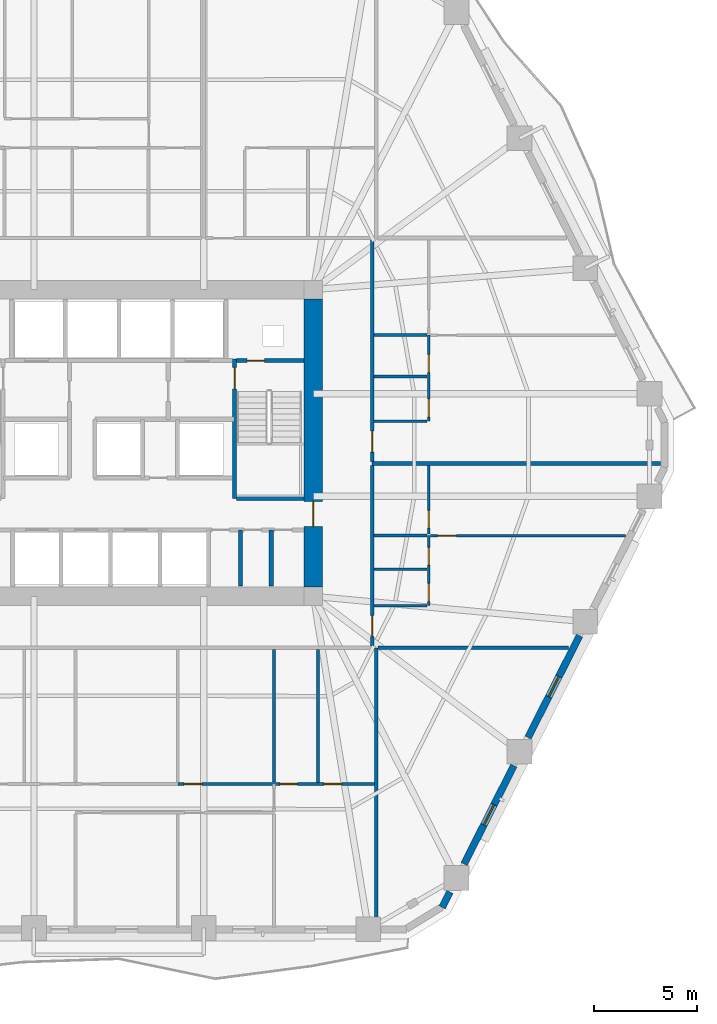
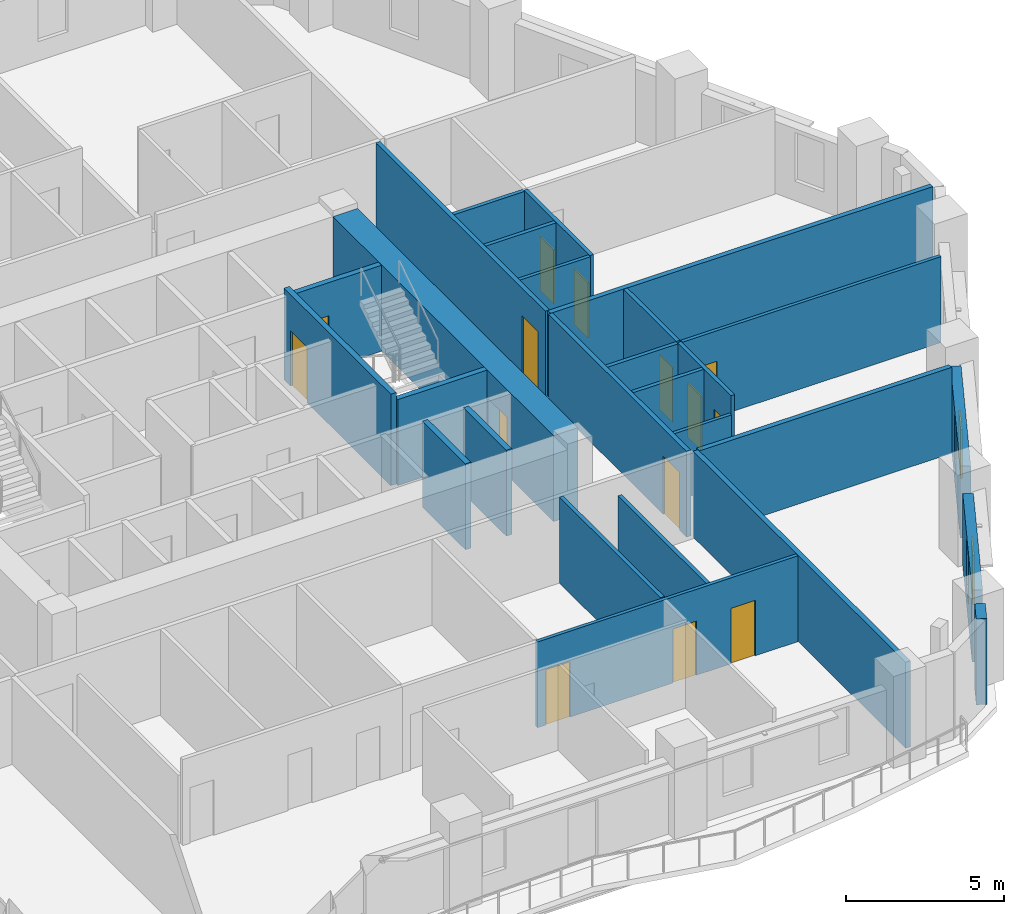
# One storey, part 6 of 14: 27 walls, 14 doors, 2 windows, 16 openings.
"""IFC4 building model written with IfcOpenShell, lengths in metres."""

import ifcopenshell
import ifcopenshell.guid

model = None  # the IFC model being written
_history = None  # IfcOwnerHistory: only IFC2X3 demands one
_inside = {}  # id of a spatial element -> (the spatial element, [elements in it])
_under = {}  # id of a project, library or spatial element -> (it, [spatial elements below it])
_declared = {}  # id of a project -> (the project, [libraries it declares])
_typed = {}  # id of a type object -> (the type object, [elements of that type])
_made_of = {}  # id of a material, layer set ... -> (it, [elements and type objects made of it])


def new_model(schema):
    """Start an empty IFC model of exactly this schema.

    Asked for "IFC4X3", IfcOpenShell would pick the latest addendum, in which some entities
    have other attributes; the version numbers below select the first issue.
    IFC2X3 requires an IfcOwnerHistory on every rooted entity: one is made here for all.
    """
    global model, _history
    if schema == "IFC4X3":
        model = ifcopenshell.file(schema_version=(4, 3, 0, 0))
    else:
        model = ifcopenshell.file(schema=schema)
    _inside.clear()
    _under.clear()
    _declared.clear()
    _typed.clear()
    _made_of.clear()
    _history = None
    if model.schema == "IFC2X3":
        org = make("IfcOrganization", Name="unknown")
        user = make(
            "IfcPersonAndOrganization",
            ThePerson=make("IfcPerson", FamilyName="unknown"),
            TheOrganization=org,
        )
        app = make(
            "IfcApplication",
            ApplicationDeveloper=org,
            Version="unknown",
            ApplicationFullName="unknown",
            ApplicationIdentifier="unknown",
        )
        _history = make(
            "IfcOwnerHistory",
            OwningUser=user,
            OwningApplication=app,
            ChangeAction="ADDED",
            CreationDate=0,
        )
    return model


def make(cls, **values):
    """One entity of the class cls with the attributes given. An attribute that is None is left unset."""
    return model.create_entity(
        cls, **{name: value for name, value in values.items() if value is not None}
    )


def rooted(cls, **values):
    """An entity with a GlobalId (a new one), such as an element, a storey or a relation."""
    return make(cls, GlobalId=ifcopenshell.guid.new(), OwnerHistory=_history, **values)


def si_unit(unit_type, name, prefix=None):
    """IfcSIUnit, for example si_unit("LENGTHUNIT", "METRE", prefix="MILLI")."""
    return make("IfcSIUnit", UnitType=unit_type, Prefix=prefix, Name=name)


def assignment(units):
    """IfcUnitAssignment: the units of a project."""
    return None if units is None else make("IfcUnitAssignment", Units=units)


def point(xyz):
    """IfcCartesianPoint."""
    return None if xyz is None else make("IfcCartesianPoint", Coordinates=xyz)


def direction(xyz):
    """IfcDirection."""
    return None if xyz is None else make("IfcDirection", DirectionRatios=xyz)


def frame(location, z_axis=None, x_axis=None):
    """IfcAxis2Placement3D, a coordinate frame: its origin and axes. An axis left out is left unset."""
    return make(
        "IfcAxis2Placement3D",
        Location=point(location),
        Axis=direction(z_axis),
        RefDirection=direction(x_axis),
    )


def frame_2d(location, x_axis=None):
    """IfcAxis2Placement2D, a coordinate frame in the plane: its origin and x axis."""
    return make(
        "IfcAxis2Placement2D", Location=point(location), RefDirection=direction(x_axis)
    )


def origin():
    """The frame at (0, 0, 0) with its axes left unset."""
    return frame((0.0, 0.0, 0.0))


def place(relative_to, where):
    """IfcLocalPlacement: puts the frame where relative to a parent placement (None: the world)."""
    return make(
        "IfcLocalPlacement", PlacementRelTo=relative_to, RelativePlacement=where
    )


def context(
    kind, dimensions, precision=None, world=None, true_north=None, identifier=None
):
    """IfcGeometricRepresentationContext, for example the 3D "Model" context."""
    return make(
        "IfcGeometricRepresentationContext",
        ContextIdentifier=identifier,
        ContextType=kind,
        CoordinateSpaceDimension=dimensions,
        Precision=precision,
        WorldCoordinateSystem=world,
        TrueNorth=true_north,
    )


def subcontext(parent, identifier, kind, view, scale=None):
    """IfcGeometricRepresentationSubContext, for example "Body" below "Model"."""
    return make(
        "IfcGeometricRepresentationSubContext",
        ContextIdentifier=identifier,
        ContextType=kind,
        ParentContext=parent,
        TargetScale=scale,
        TargetView=view,
    )


def project(units=None, contexts=None):
    """IfcProject with its units and contexts."""
    return rooted(
        "IfcProject",
        Name="project",
        RepresentationContexts=contexts,
        UnitsInContext=assignment(units),
    )


def spatial(cls, under=None, at=None, **own):
    """A site, building, storey or space (cls), placed at a placement, below another one or the project."""
    s = rooted(cls, ObjectPlacement=at, **own)
    if under is not None:
        _under.setdefault(under.id(), (under, []))[1].append(s)
    return s


def profile(cls, at=None, kind="AREA", **sizes):
    """A parametric profile (cls). Its sizes go by their IFC names, for example OverallWidth=200.0."""
    return make(cls, ProfileType=kind, Position=at, **sizes)


def rectangle(**sizes):
    """IfcRectangleProfileDef."""
    return profile("IfcRectangleProfileDef", **sizes)


def extrude(swept, where, along, depth):
    """IfcExtrudedAreaSolid: the profile swept, set in the frame where, extruded along a direction by depth."""
    return make(
        "IfcExtrudedAreaSolid",
        SweptArea=swept,
        Position=where,
        ExtrudedDirection=direction(along),
        Depth=depth,
    )


def shape(context_of_items, identifier, shape_type, items):
    """IfcShapeRepresentation: the items that make up one representation, for example the "Body"."""
    return make(
        "IfcShapeRepresentation",
        ContextOfItems=context_of_items,
        RepresentationIdentifier=identifier,
        RepresentationType=shape_type,
        Items=items,
    )


def material(Name=None, Category=None):
    """IfcMaterial."""
    return make("IfcMaterial", Name=Name, Category=Category)


def layer(
    of_material, thickness, ventilated=None, Name=None, Category=None, Priority=None
):
    """IfcMaterialLayer: one layer of a wall or slab, of a material (None: an air gap)."""
    return make(
        "IfcMaterialLayer",
        Material=of_material,
        LayerThickness=thickness,
        IsVentilated=ventilated,
        Name=Name,
        Category=Category,
        Priority=Priority,
    )


def layer_set(layers, Name=None):
    """IfcMaterialLayerSet."""
    return make("IfcMaterialLayerSet", MaterialLayers=layers, LayerSetName=Name)


def made_of(thing, what):
    """Note that an element or type object is made of a material, layer set ...; save() writes the relation."""
    if what is not None:
        _made_of.setdefault(what.id(), (what, []))[1].append(thing)
    return thing


def type_object(cls, material=None, **own):
    """A type object (cls), such as IfcWallType, which elements share."""
    return made_of(rooted(cls, **own), material)


def element(
    cls,
    number,
    at=None,
    inside=None,
    cuts=None,
    type_object=None,
    material=None,
    context=None,
    identifier="Body",
    shape_type=None,
    held_by="IfcProductDefinitionShape",
    body=None,
    shapes=None,
    **own,
):
    """One element of the class cls, such as IfcWall. Its Tag is "e" and its number.

    at: its placement. inside: the storey or other place that contains it. cuts: it is an
    opening in that element (IfcRelVoidsElement). A single representation is given by context,
    identifier, shape_type and body (its items); several are given by shapes. held_by: the class
    of the entity that holds the representations. save() writes the other relations.
    """
    e = rooted(cls, Tag="e%d" % number, ObjectPlacement=at, **own)
    if body is not None:
        shapes = [shape(context, identifier, shape_type, body)]
    if shapes is not None:
        e.Representation = make(held_by, Representations=shapes)
    if inside is not None:
        _inside.setdefault(inside.id(), (inside, []))[1].append(e)
    if cuts is not None:
        rooted(
            "IfcRelVoidsElement", RelatingBuildingElement=cuts, RelatedOpeningElement=e
        )
    if type_object is not None:
        _typed.setdefault(type_object.id(), (type_object, []))[1].append(e)
    return made_of(e, material)


def fill(opening, filler):
    """IfcRelFillsElement: the door or window that sits in an opening."""
    return rooted(
        "IfcRelFillsElement",
        RelatingOpeningElement=opening,
        RelatedBuildingElement=filler,
    )


def aggregate(whole, parts):
    """IfcRelAggregates: a whole, such as a stair, and the parts it consists of."""
    return rooted("IfcRelAggregates", RelatingObject=whole, RelatedObjects=parts)


def save(model, path):
    """Write the relations noted so far, then the file.

    IfcRelAggregates (storeys below a building ...), IfcRelContainedInSpatialStructure (elements
    in a storey), IfcRelDefinesByType, IfcRelAssociatesMaterial and IfcRelDeclares: one each for
    every whole, place, type object, material and project.
    """
    for whole, parts in _under.values():
        aggregate(whole, parts)
    for where, things in _inside.values():
        rooted(
            "IfcRelContainedInSpatialStructure",
            RelatedElements=things,
            RelatingStructure=where,
        )
    for kind, things in _typed.values():
        rooted("IfcRelDefinesByType", RelatedObjects=things, RelatingType=kind)
    for what, things in _made_of.values():
        rooted("IfcRelAssociatesMaterial", RelatedObjects=things, RelatingMaterial=what)
    for by, libraries in _declared.values():
        rooted("IfcRelDeclares", RelatingContext=by, RelatedDefinitions=libraries)
    model.write(path)


model = new_model("IFC4")

# Units and contexts
model_context = context("Model", 3, precision=1e-05, world=origin(), true_north=direction((0.0, 1.0)))
body_context = subcontext(model_context, "Body", "Model", "MODEL_VIEW")
ifc_project = project(units=[si_unit("LENGTHUNIT", "METRE"), si_unit("AREAUNIT", "SQUARE_METRE"), si_unit("VOLUMEUNIT", "CUBIC_METRE"), si_unit("PLANEANGLEUNIT", "RADIAN"), si_unit("MASSUNIT", "GRAM", prefix="KILO")], contexts=[model_context])

# Site, building, storey
site_placement = place(None, origin())
site = spatial("IfcSite", under=ifc_project, at=site_placement, CompositionType="ELEMENT")
building_placement = place(site_placement, origin())
building = spatial("IfcBuilding", under=site, at=building_placement, Name="Cinnabar Lancet Tower", CompositionType="ELEMENT")
storey_placement = place(building_placement, frame((0.0, 0.0, 67.5)))
storey = spatial("IfcBuildingStorey", under=building, at=storey_placement, Name="L17", CompositionType="ELEMENT", Elevation=67.5)

# Wall, opening, door
ifc_material_1 = material(Name="Acoustic twin-stud gypsum partition", Category="gypsum")
ifc_layer_1 = layer(ifc_material_1, 0.159912109375)
ifc_layer_set_1 = layer_set([ifc_layer_1], Name="Acoustic twin-stud gypsum partition")
wall_type_1 = type_object("IfcWallType", Name="ARC-WL-CORR-160", PredefinedType="PARTITIONING", material=ifc_layer_set_1)
wall_1_placement = place(storey_placement, frame((44.699951171875, 16.044921875, 0.0), z_axis=(0.0, 0.0, 1.0), x_axis=(0.0, 1.0, 0.0)))
wall_1 = element("IfcWall", 1, at=wall_1_placement, inside=storey, type_object=wall_type_1, Name="UW-L17-E01-COR", PredefinedType="PARTITIONING", context=body_context, shape_type="SweptSolid", body=[
    extrude(rectangle(XDim=8.76513671875, YDim=0.159912109375, at=frame_2d((4.382568359375, 0.0))), origin(), (0.0, 0.0, 1.0), 3.330078125),
])
opening_1_placement = place(wall_1_placement, frame((0.449951171875, 0.0, 0.0)))
opening_1 = element("IfcOpeningElement", 2, at=opening_1_placement, cuts=wall_1, Name="Opening UD-01", PredefinedType="OPENING", context=body_context, shape_type="SweptSolid", body=[
    extrude(rectangle(XDim=1.02001953125, YDim=2.25, at=frame_2d((0.510009765625, 1.125))), frame((0.0, 0.08984375, 0.0), z_axis=(0.0, -1.0, 0.0), x_axis=(1.0, 0.0, 0.0)), (0.0, 0.0, 1.0), 0.179931640625),
])
ifc_material_2 = material(Name="Solid timber fire-rated apartment entrance door", Category="wood")
door_type_1 = type_object("IfcDoorType", Name="ARC-DR-UNIT", OperationType="NOTDEFINED", PredefinedType="DOOR", material=ifc_material_2)
door_1_placement = place(opening_1_placement, origin())
door_1 = element("IfcDoor", 3, at=door_1_placement, inside=storey, type_object=door_type_1, Name="DR-L17-E01-ENT", OperationType="SINGLE_SWING_RIGHT", OverallHeight=2.25, OverallWidth=1.02001953125, PredefinedType="DOOR", context=body_context, shape_type="SweptSolid", body=[
    extrude(rectangle(XDim=1.02001953125, YDim=2.25, at=frame_2d((0.510009765625, 1.125))), frame((0.0, 0.02490234375, 0.0), z_axis=(0.0, -1.0, 0.0), x_axis=(1.0, 0.0, 0.0)), (0.0, 0.0, 1.0), 0.050048828125),
])
fill(opening_1, door_1)

wall_2_placement = place(storey_placement, frame((44.699951171875, 25.0, 0.0), z_axis=(0.0, 0.0, 1.0), x_axis=(0.0, 1.0, 0.0)))
wall_2 = element("IfcWall", 4, at=wall_2_placement, inside=storey, type_object=wall_type_1, Name="UW-L17-E02-COR", PredefinedType="PARTITIONING", context=body_context, shape_type="SweptSolid", body=[
    extrude(rectangle(XDim=10.7548828125, YDim=0.159912109375, at=frame_2d((5.37744140625, 0.0))), origin(), (0.0, 0.0, 1.0), 3.330078125),
])
opening_2_placement = place(wall_2_placement, frame((0.449951171875, 0.0, 0.0)))
opening_2 = element("IfcOpeningElement", 5, at=opening_2_placement, cuts=wall_2, Name="Opening UD-01", PredefinedType="OPENING", context=body_context, shape_type="SweptSolid", body=[
    extrude(rectangle(XDim=1.02001953125, YDim=2.25, at=frame_2d((0.510009765625, 1.125))), frame((0.0, 0.08984375, 0.0), z_axis=(0.0, -1.0, 0.0), x_axis=(1.0, 0.0, 0.0)), (0.0, 0.0, 1.0), 0.179931640625),
])
door_2_placement = place(opening_2_placement, origin())
door_2 = element("IfcDoor", 6, at=door_2_placement, inside=storey, type_object=door_type_1, Name="DR-L17-E02-ENT", OperationType="SINGLE_SWING_LEFT", OverallHeight=2.25, OverallWidth=1.02001953125, PredefinedType="DOOR", context=body_context, shape_type="SweptSolid", body=[
    extrude(rectangle(XDim=1.02001953125, YDim=2.25, at=frame_2d((0.510009765625, 1.125))), frame((0.0, 0.02490234375, 0.0), z_axis=(0.0, -1.0, 0.0), x_axis=(1.0, 0.0, 0.0)), (0.0, 0.0, 1.0), 0.050048828125),
])
fill(opening_2, door_2)

# Walls
ifc_material_3 = material(Name="Fire-rated twin-frame acoustic drywall", Category="gypsum")
ifc_layer_2 = layer(ifc_material_3, 0.179931640625)
ifc_layer_set_2 = layer_set([ifc_layer_2], Name="Fire-rated twin-frame acoustic drywall")
wall_type_2 = type_object("IfcWallType", Name="ARC-WL-PARTY-180", PredefinedType="PARTITIONING", material=ifc_layer_set_2)
wall_3_placement = place(storey_placement, frame((44.89990234375, 2.455078125, 0.0), z_axis=(0.0, 0.0, 1.0), x_axis=(0.0, 1.0, 0.0)))
element("IfcWall", 7, at=wall_3_placement, inside=storey, type_object=wall_type_2, Name="PW-L17-SPTY-449", PredefinedType="PARTITIONING", context=body_context, shape_type="SweptSolid", body=[
    extrude(rectangle(XDim=13.494873046875, YDim=0.179931640625, at=frame_2d((6.74755859375, 0.0))), origin(), (0.0, 0.0, 1.0), 3.330078125),
])
wall_4_placement = place(storey_placement, frame((44.9951171875, 15.949951171875, 0.0), z_axis=(0.0, 0.0, 1.0), x_axis=(1.0, 0.0, 0.0)))
element("IfcWall", 8, at=wall_4_placement, inside=storey, type_object=wall_type_2, Name="PW-L17-ESB", PredefinedType="PARTITIONING", context=body_context, shape_type="SweptSolid", body=[
    extrude(rectangle(XDim=9.240966796875, YDim=0.179931640625, at=frame_2d((4.62060546875, 0.0))), origin(), (0.0, 0.0, 1.0), 3.330078125),
])
wall_5_placement = place(storey_placement, frame((44.699951171875, 24.905029296875, 0.0), z_axis=(0.0, 0.0, 1.0), x_axis=(1.0, 0.0, 0.0)))
element("IfcWall", 9, at=wall_5_placement, inside=storey, type_object=wall_type_2, Name="PW-L17-EPTY-1", PredefinedType="PARTITIONING", context=body_context, shape_type="SweptSolid", body=[
    extrude(rectangle(XDim=14.012939453125, YDim=0.179931640625, at=frame_2d((7.00634765625, 0.0))), origin(), (0.0, 0.0, 1.0), 3.330078125),
])
ifc_material_4 = material(Name="Autoclaved aerated concrete blockwork", Category="masonry")
ifc_layer_3 = layer(ifc_material_4, 0.199951171875)
ifc_layer_set_3 = layer_set([ifc_layer_3], Name="Autoclaved aerated concrete blockwork")
wall_type_3 = type_object("IfcWallType", Name="ARC-WL-SHAFT-200", PredefinedType="PLUMBINGWALL", material=ifc_layer_set_3)
wall_6_placement = place(storey_placement, frame((38.125, 23.199951171875, 0.0), z_axis=(0.0, 0.0, 1.0), x_axis=(1.0, 0.0, 0.0)))
element("IfcWall", 10, at=wall_6_placement, inside=storey, type_object=wall_type_3, Name="CW-ST2S-L17", PredefinedType="PLUMBINGWALL", context=body_context, shape_type="SweptSolid", body=[
    extrude(rectangle(XDim=3.27001953125, YDim=0.199951171875, at=frame_2d((1.635009765625, 0.0))), origin(), (0.0, 0.0, 1.0), 3.330078125),
])

# Wall, opening, door
wall_7_placement = place(storey_placement, frame((38.125, 29.89990234375, 0.0), z_axis=(0.0, 0.0, 1.0), x_axis=(1.0, 0.0, 0.0)))
wall_7 = element("IfcWall", 11, at=wall_7_placement, inside=storey, type_object=wall_type_3, Name="CW-NSH-E-L17", PredefinedType="PLUMBINGWALL", context=body_context, shape_type="SweptSolid", body=[
    extrude(rectangle(XDim=3.27001953125, YDim=0.199951171875, at=frame_2d((1.635009765625, 0.0))), origin(), (0.0, 0.0, 1.0), 3.330078125),
])
opening_3_placement = place(wall_7_placement, frame((0.5, 0.0, 0.0)))
opening_3 = element("IfcOpeningElement", 12, at=opening_3_placement, cuts=wall_7, Name="Opening PD-02", PredefinedType="OPENING", context=body_context, shape_type="SweptSolid", body=[
    extrude(rectangle(XDim=0.85009765625, YDim=2.050048828125, at=frame_2d((0.425048828125, 1.02490234375))), frame((0.0, 0.10986328125, 0.0), z_axis=(0.0, -1.0, 0.0), x_axis=(1.0, 0.0, 0.0)), (0.0, 0.0, 1.0), 0.219970703125),
])
ifc_material_5 = material(Name="Fire-rated steel riser access door", Category="steel")
door_type_2 = type_object("IfcDoorType", Name="ARC-DR-RISER", OperationType="NOTDEFINED", PredefinedType="DOOR", material=ifc_material_5)
door_3_placement = place(opening_3_placement, origin())
door_3 = element("IfcDoor", 13, at=door_3_placement, inside=storey, type_object=door_type_2, Name="L17 East Riser Access Door", OperationType="SINGLE_SWING_RIGHT", OverallHeight=2.050048828125, OverallWidth=0.85009765625, PredefinedType="DOOR", context=body_context, shape_type="SweptSolid", body=[
    extrude(rectangle(XDim=0.85009765625, YDim=2.050048828125, at=frame_2d((0.425048828125, 1.02490234375))), frame((0.0, 0.02490234375, 0.0), z_axis=(0.0, -1.0, 0.0), x_axis=(1.0, 0.0, 0.0)), (0.0, 0.0, 1.0), 0.050048828125),
])
fill(opening_3, door_3)

# Walls
for number, where, z_axis, x_axis, name in (
    (14, (38.300048828125, 18.949951171875, 0.0), (0.0, 0.0, 1.0), (0.0, 1.0, 0.0), "CW-SBC2-383-L17"),
    (15, (39.800048828125, 18.949951171875, 0.0), (0.0, 0.0, 1.0), (0.0, 1.0, 0.0), "CW-SBC2-398-L17"),
):
    element("IfcWall", number, at=place(storey_placement, frame(where, z_axis=z_axis, x_axis=x_axis)), inside=storey, type_object=wall_type_3, Name=name, PredefinedType="PLUMBINGWALL", context=body_context, shape_type="SweptSolid", body=[
        extrude(rectangle(XDim=2.72998046875, YDim=0.199951171875, at=frame_2d((1.364990234375, 0.0))), origin(), (0.0, 0.0, 1.0), 3.330078125),
    ])

# Wall, openings, doors
ifc_material_6 = material(Name="Gypsum plasterboard stud partition", Category="gypsum")
ifc_layer_4 = layer(ifc_material_6, 0.125)
ifc_layer_set_4 = layer_set([ifc_layer_4], Name="Gypsum plasterboard stud partition")
wall_type_4 = type_object("IfcWallType", Name="ARC-WL-UNIT-125", PredefinedType="PARTITIONING", material=ifc_layer_set_4)
wall_8_placement = place(storey_placement, frame((35.261962890625, 9.3369140625, 0.0), z_axis=(0.0, 0.0, 1.0), x_axis=(1.0, 0.0, 0.0)))
wall_8 = element("IfcWall", 16, at=wall_8_placement, inside=storey, type_object=wall_type_4, Name="UW-L17-S01-SP2", PredefinedType="PARTITIONING", context=body_context, shape_type="SweptSolid", body=[
    extrude(rectangle(XDim=9.54296875, YDim=0.125, at=frame_2d((4.771484375, 0.0))), origin(), (0.0, 0.0, 1.0), 3.330078125),
])
opening_4_placement = place(wall_8_placement, frame((4.952880859375, 0.0, 0.0)))
opening_4 = element("IfcOpeningElement", 17, at=opening_4_placement, cuts=wall_8, Name="Opening BD-01", PredefinedType="OPENING", context=body_context, shape_type="SweptSolid", body=[
    extrude(rectangle(XDim=0.860107421875, YDim=2.10009765625, at=frame_2d((0.43017578125, 1.050048828125))), frame((0.0, 0.072509765625, 0.0), z_axis=(0.0, -1.0, 0.0), x_axis=(1.0, 0.0, 0.0)), (0.0, 0.0, 1.0), 0.14501953125),
])
opening_5_placement = place(wall_8_placement, frame((7.092041015625, 0.0, 0.0)))
opening_5 = element("IfcOpeningElement", 18, at=opening_5_placement, cuts=wall_8, Name="Opening RD-02", PredefinedType="OPENING", context=body_context, shape_type="SweptSolid", body=[
    extrude(rectangle(XDim=0.8798828125, YDim=2.14990234375, at=frame_2d((0.43994140625, 1.074951171875))), frame((0.0, 0.072509765625, 0.0), z_axis=(0.0, -1.0, 0.0), x_axis=(1.0, 0.0, 0.0)), (0.0, 0.0, 1.0), 0.14501953125),
])
opening_6_placement = place(wall_8_placement, frame((0.300048828125, 0.0, 0.0)))
opening_6 = element("IfcOpeningElement", 19, at=opening_6_placement, cuts=wall_8, Name="Opening RD-02", PredefinedType="OPENING", context=body_context, shape_type="SweptSolid", body=[
    extrude(rectangle(XDim=0.8798828125, YDim=2.14990234375, at=frame_2d((0.43994140625, 1.074951171875))), frame((0.0, 0.072509765625, 0.0), z_axis=(0.0, -1.0, 0.0), x_axis=(1.0, 0.0, 0.0)), (0.0, 0.0, 1.0), 0.14501953125),
])
ifc_material_7 = material(Name="Moisture-resistant timber bathroom door", Category="wood")
door_type_3 = type_object("IfcDoorType", Name="ARC-DR-BATH", OperationType="NOTDEFINED", PredefinedType="DOOR", material=ifc_material_7)
door_4_placement = place(opening_4_placement, origin())
door_4 = element("IfcDoor", 20, at=door_4_placement, inside=storey, type_object=door_type_3, Name="DR-L17-S01-ENS", OperationType="SINGLE_SWING_RIGHT", OverallHeight=2.10009765625, OverallWidth=0.860107421875, PredefinedType="DOOR", context=body_context, shape_type="SweptSolid", body=[
    extrude(rectangle(XDim=0.860107421875, YDim=2.10009765625, at=frame_2d((0.43017578125, 1.050048828125))), frame((0.0, 0.02490234375, 0.0), z_axis=(0.0, -1.0, 0.0), x_axis=(1.0, 0.0, 0.0)), (0.0, 0.0, 1.0), 0.050048828125),
])
fill(opening_4, door_4)
ifc_material_8 = material(Name="Engineered timber study door", Category="wood")
door_type_4 = type_object("IfcDoorType", Name="ARC-DR-STUDY", OperationType="NOTDEFINED", PredefinedType="DOOR", material=ifc_material_8)
door_5_placement = place(opening_5_placement, origin())
door_5 = element("IfcDoor", 21, at=door_5_placement, inside=storey, type_object=door_type_4, Name="DR-L17-S01-ENS-WDR", OperationType="SINGLE_SWING_LEFT", OverallHeight=2.14990234375, OverallWidth=0.8798828125, PredefinedType="DOOR", context=body_context, shape_type="SweptSolid", body=[
    extrude(rectangle(XDim=0.8798828125, YDim=2.14990234375, at=frame_2d((0.43994140625, 1.074951171875))), frame((0.0, 0.02490234375, 0.0), z_axis=(0.0, -1.0, 0.0), x_axis=(1.0, 0.0, 0.0)), (0.0, 0.0, 1.0), 0.050048828125),
])
fill(opening_5, door_5)
door_6_placement = place(opening_6_placement, origin())
door_6 = element("IfcDoor", 22, at=door_6_placement, inside=storey, type_object=door_type_4, Name="DR-L17-S01-DRS", OperationType="SINGLE_SWING_LEFT", OverallHeight=2.14990234375, OverallWidth=0.8798828125, PredefinedType="DOOR", context=body_context, shape_type="SweptSolid", body=[
    extrude(rectangle(XDim=0.8798828125, YDim=2.14990234375, at=frame_2d((0.43994140625, 1.074951171875))), frame((0.0, 0.02490234375, 0.0), z_axis=(0.0, -1.0, 0.0), x_axis=(1.0, 0.0, 0.0)), (0.0, 0.0, 1.0), 0.050048828125),
])
fill(opening_6, door_6)

# Wall
wall_9_placement = place(storey_placement, frame((44.784912109375, 18.0, 0.0), z_axis=(0.0, 0.0, 1.0), x_axis=(1.0, 0.0, 0.0)))
element("IfcWall", 23, at=wall_9_placement, inside=storey, type_object=wall_type_4, Name="UW-L17-E01-FOYN", PredefinedType="PARTITIONING", context=body_context, shape_type="SweptSolid", body=[
    extrude(rectangle(XDim=2.580078125, YDim=0.125, at=frame_2d((1.2900390625, 0.0))), origin(), (0.0, 0.0, 1.0), 2.635986328125),
])

# Wall, opening, door
wall_10_placement = place(storey_placement, frame((47.52490234375, 21.39990234375, 0.0), z_axis=(0.0, 0.0, 1.0), x_axis=(1.0, 0.0, 0.0)))
wall_10 = element("IfcWall", 24, at=wall_10_placement, inside=storey, type_object=wall_type_4, Name="UW-L17-E01-MBN", PredefinedType="PARTITIONING", context=body_context, shape_type="SweptSolid", body=[
    extrude(rectangle(XDim=9.484130859375, YDim=0.125, at=frame_2d((4.7421875, 0.0))), origin(), (0.0, 0.0, 1.0), 3.330078125),
])
opening_7_placement = place(wall_10_placement, frame((0.35009765625, 0.0, 0.0)))
opening_7 = element("IfcOpeningElement", 25, at=opening_7_placement, cuts=wall_10, Name="Opening RD-01", PredefinedType="OPENING", context=body_context, shape_type="SweptSolid", body=[
    extrude(rectangle(XDim=0.919921875, YDim=2.14990234375, at=frame_2d((0.4599609375, 1.074951171875))), frame((0.0, 0.072509765625, 0.0), z_axis=(0.0, -1.0, 0.0), x_axis=(1.0, 0.0, 0.0)), (0.0, 0.0, 1.0), 0.14501953125),
])
ifc_material_9 = material(Name="Engineered timber bedroom door", Category="wood")
door_type_5 = type_object("IfcDoorType", Name="ARC-DR-ROOM", OperationType="NOTDEFINED", PredefinedType="DOOR", material=ifc_material_9)
door_7_placement = place(opening_7_placement, origin())
door_7 = element("IfcDoor", 26, at=door_7_placement, inside=storey, type_object=door_type_5, Name="DR-L17-E01-MBD", OperationType="SINGLE_SWING_RIGHT", OverallHeight=2.14990234375, OverallWidth=0.919921875, PredefinedType="DOOR", context=body_context, shape_type="SweptSolid", body=[
    extrude(rectangle(XDim=0.919921875, YDim=2.14990234375, at=frame_2d((0.4599609375, 1.074951171875))), frame((0.0, 0.02490234375, 0.0), z_axis=(0.0, -1.0, 0.0), x_axis=(1.0, 0.0, 0.0)), (0.0, 0.0, 1.0), 0.050048828125),
])
fill(opening_7, door_7)

# Walls
wall_11_placement = place(storey_placement, frame((44.784912109375, 26.955078125, 0.0), z_axis=(0.0, 0.0, 1.0), x_axis=(1.0, 0.0, 0.0)))
element("IfcWall", 27, at=wall_11_placement, inside=storey, type_object=wall_type_4, Name="UW-L17-E02-FOYN", PredefinedType="PARTITIONING", context=body_context, shape_type="SweptSolid", body=[
    extrude(rectangle(XDim=2.580078125, YDim=0.125, at=frame_2d((1.2900390625, 0.0))), origin(), (0.0, 0.0, 1.0), 3.330078125),
])
ifc_material_10 = material(Name="Moisture-resistant cement-board plumbing wall", Category="masonry")
ifc_layer_5 = layer(ifc_material_10, 0.139892578125)
ifc_layer_set_5 = layer_set([ifc_layer_5], Name="Moisture-resistant cement-board plumbing wall")
wall_type_5 = type_object("IfcWallType", Name="ARC-WL-WET-140", PredefinedType="PLUMBINGWALL", material=ifc_layer_set_5)
wall_12_placement = place(storey_placement, frame((39.93505859375, 9.44189453125, 0.0), z_axis=(0.0, 0.0, 1.0), x_axis=(0.0, 1.0, 0.0)))
element("IfcWall", 28, at=wall_12_placement, inside=storey, type_object=wall_type_5, Name="UW-L17-S01-UT3", PredefinedType="PLUMBINGWALL", context=body_context, shape_type="SweptSolid", body=[
    extrude(rectangle(XDim=6.423095703125, YDim=0.139892578125, at=frame_2d((3.21142578125, 0.0))), origin(), (0.0, 0.0, 1.0), 3.330078125),
])
wall_13_placement = place(storey_placement, frame((42.073974609375, 9.422119140625, 0.0), z_axis=(0.0, 0.0, 1.0), x_axis=(0.0, 1.0, 0.0)))
element("IfcWall", 29, at=wall_13_placement, inside=storey, type_object=wall_type_5, Name="UW-L17-S01-ENS-WDV", PredefinedType="PLUMBINGWALL", context=body_context, shape_type="SweptSolid", body=[
    extrude(rectangle(XDim=6.44287109375, YDim=0.139892578125, at=frame_2d((3.221435546875, 0.0))), origin(), (0.0, 0.0, 1.0), 2.635986328125),
])

# Wall, openings, doors
wall_14_placement = place(storey_placement, frame((47.449951171875, 18.0, 0.0), z_axis=(0.0, 0.0, 1.0), x_axis=(0.0, 1.0, 0.0)))
wall_14 = element("IfcWall", 30, at=wall_14_placement, inside=storey, type_object=wall_type_5, Name="UW-L17-E01-SPL", PredefinedType="PLUMBINGWALL", context=body_context, shape_type="SweptSolid", body=[
    extrude(rectangle(XDim=3.39990234375, YDim=0.139892578125, at=frame_2d((1.699951171875, 0.0))), origin(), (0.0, 0.0, 1.0), 3.330078125),
])
opening_8_placement = place(wall_14_placement, frame((0.199951171875, 0.0, 0.0)))
opening_8 = element("IfcOpeningElement", 31, at=opening_8_placement, cuts=wall_14, Name="Opening RD-02", PredefinedType="OPENING", context=body_context, shape_type="SweptSolid", body=[
    extrude(rectangle(XDim=0.8798828125, YDim=2.14990234375, at=frame_2d((0.43994140625, 1.074951171875))), frame((0.0, 0.079833984375, 0.0), z_axis=(0.0, -1.0, 0.0), x_axis=(1.0, 0.0, 0.0)), (0.0, 0.0, 1.0), 0.159912109375),
])
opening_9_placement = place(wall_14_placement, frame((1.968017578125, 0.0, 0.0)))
opening_9 = element("IfcOpeningElement", 32, at=opening_9_placement, cuts=wall_14, Name="Opening BD-01", PredefinedType="OPENING", context=body_context, shape_type="SweptSolid", body=[
    extrude(rectangle(XDim=0.860107421875, YDim=2.10009765625, at=frame_2d((0.43017578125, 1.050048828125))), frame((0.0, 0.079833984375, 0.0), z_axis=(0.0, -1.0, 0.0), x_axis=(1.0, 0.0, 0.0)), (0.0, 0.0, 1.0), 0.159912109375),
])
door_8_placement = place(opening_9_placement, origin())
door_8 = element("IfcDoor", 33, at=door_8_placement, inside=storey, type_object=door_type_3, Name="DR-L17-E01-BTH", OperationType="SINGLE_SWING_RIGHT", OverallHeight=2.10009765625, OverallWidth=0.860107421875, PredefinedType="DOOR", context=body_context, shape_type="SweptSolid", body=[
    extrude(rectangle(XDim=0.860107421875, YDim=2.10009765625, at=frame_2d((0.43017578125, 1.050048828125))), frame((0.0, 0.02490234375, 0.0), z_axis=(0.0, -1.0, 0.0), x_axis=(1.0, 0.0, 0.0)), (0.0, 0.0, 1.0), 0.050048828125),
])
fill(opening_9, door_8)
door_9_placement = place(opening_8_placement, origin())
door_9 = element("IfcDoor", 34, at=door_9_placement, inside=storey, type_object=door_type_4, Name="DR-L17-E01-KIT", OperationType="SINGLE_SWING_LEFT", OverallHeight=2.14990234375, OverallWidth=0.8798828125, PredefinedType="DOOR", context=body_context, shape_type="SweptSolid", body=[
    extrude(rectangle(XDim=0.8798828125, YDim=2.14990234375, at=frame_2d((0.43994140625, 1.074951171875))), frame((0.0, 0.02490234375, 0.0), z_axis=(0.0, -1.0, 0.0), x_axis=(1.0, 0.0, 0.0)), (0.0, 0.0, 1.0), 0.050048828125),
])
fill(opening_8, door_9)

# Wall, opening, door
wall_15_placement = place(storey_placement, frame((47.449951171875, 21.469970703125, 0.0), z_axis=(0.0, 0.0, 1.0), x_axis=(0.0, 1.0, 0.0)))
wall_15 = element("IfcWall", 35, at=wall_15_placement, inside=storey, type_object=wall_type_5, Name="UW-L17-E01-SPM", PredefinedType="PLUMBINGWALL", context=body_context, shape_type="SweptSolid", body=[
    extrude(rectangle(XDim=3.340087890625, YDim=0.139892578125, at=frame_2d((1.669921875, 0.0))), origin(), (0.0, 0.0, 1.0), 3.330078125),
])
opening_10_placement = place(wall_15_placement, frame((0.300048828125, 0.0, 0.0)))
opening_10 = element("IfcOpeningElement", 36, at=opening_10_placement, cuts=wall_15, Name="Opening BD-01", PredefinedType="OPENING", context=body_context, shape_type="SweptSolid", body=[
    extrude(rectangle(XDim=0.860107421875, YDim=2.10009765625, at=frame_2d((0.43017578125, 1.050048828125))), frame((0.0, 0.079833984375, 0.0), z_axis=(0.0, -1.0, 0.0), x_axis=(1.0, 0.0, 0.0)), (0.0, 0.0, 1.0), 0.159912109375),
])
door_10_placement = place(opening_10_placement, origin())
door_10 = element("IfcDoor", 37, at=door_10_placement, inside=storey, type_object=door_type_3, Name="DR-L17-E01-ENS", OperationType="SINGLE_SWING_RIGHT", OverallHeight=2.10009765625, OverallWidth=0.860107421875, PredefinedType="DOOR", context=body_context, shape_type="SweptSolid", body=[
    extrude(rectangle(XDim=0.860107421875, YDim=2.10009765625, at=frame_2d((0.43017578125, 1.050048828125))), frame((0.0, 0.02490234375, 0.0), z_axis=(0.0, -1.0, 0.0), x_axis=(1.0, 0.0, 0.0)), (0.0, 0.0, 1.0), 0.050048828125),
])
fill(opening_10, door_10)

# Walls
for number, where, z_axis, x_axis, name in (
    (38, (44.784912109375, 21.39990234375, 0.0), (0.0, 0.0, 1.0), (1.0, 0.0, 0.0), "UW-L17-E01-ENSN"),
    (39, (44.784912109375, 19.76806640625, 0.0), (0.0, 0.0, 1.0), (1.0, 0.0, 0.0), "UW-L17-E01-KDV"),
):
    element("IfcWall", number, at=place(storey_placement, frame(where, z_axis=z_axis, x_axis=x_axis)), inside=storey, type_object=wall_type_5, Name=name, PredefinedType="PLUMBINGWALL", context=body_context, shape_type="SweptSolid", body=[
        extrude(rectangle(XDim=2.580078125, YDim=0.139892578125, at=frame_2d((1.2900390625, 0.0))), origin(), (0.0, 0.0, 1.0), 3.330078125),
    ])

# Wall, openings, doors
wall_16_placement = place(storey_placement, frame((47.449951171875, 26.955078125, 0.0), z_axis=(0.0, 0.0, 1.0), x_axis=(0.0, 1.0, 0.0)))
wall_16 = element("IfcWall", 40, at=wall_16_placement, inside=storey, type_object=wall_type_5, Name="UW-L17-E02-SPL", PredefinedType="PLUMBINGWALL", context=body_context, shape_type="SweptSolid", body=[
    extrude(rectangle(XDim=4.181884765625, YDim=0.139892578125, at=frame_2d((2.0908203125, 0.0))), origin(), (0.0, 0.0, 1.0), 3.330078125),
])
opening_11_placement = place(wall_16_placement, frame((0.199951171875, 0.0, 0.0)))
opening_11 = element("IfcOpeningElement", 41, at=opening_11_placement, cuts=wall_16, Name="Opening RD-02", PredefinedType="OPENING", context=body_context, shape_type="SweptSolid", body=[
    extrude(rectangle(XDim=0.8798828125, YDim=2.14990234375, at=frame_2d((0.43994140625, 1.074951171875))), frame((0.0, 0.079833984375, 0.0), z_axis=(0.0, -1.0, 0.0), x_axis=(1.0, 0.0, 0.0)), (0.0, 0.0, 1.0), 0.159912109375),
])
opening_12_placement = place(wall_16_placement, frame((2.375, 0.0, 0.0)))
opening_12 = element("IfcOpeningElement", 42, at=opening_12_placement, cuts=wall_16, Name="Opening BD-01", PredefinedType="OPENING", context=body_context, shape_type="SweptSolid", body=[
    extrude(rectangle(XDim=0.860107421875, YDim=2.10009765625, at=frame_2d((0.43017578125, 1.050048828125))), frame((0.0, 0.079833984375, 0.0), z_axis=(0.0, -1.0, 0.0), x_axis=(1.0, 0.0, 0.0)), (0.0, 0.0, 1.0), 0.159912109375),
])
door_11_placement = place(opening_12_placement, origin())
door_11 = element("IfcDoor", 43, at=door_11_placement, inside=storey, type_object=door_type_3, Name="DR-L17-E02-BTH", OperationType="SINGLE_SWING_LEFT", OverallHeight=2.10009765625, OverallWidth=0.860107421875, PredefinedType="DOOR", context=body_context, shape_type="SweptSolid", body=[
    extrude(rectangle(XDim=0.860107421875, YDim=2.10009765625, at=frame_2d((0.43017578125, 1.050048828125))), frame((0.0, 0.02490234375, 0.0), z_axis=(0.0, -1.0, 0.0), x_axis=(1.0, 0.0, 0.0)), (0.0, 0.0, 1.0), 0.050048828125),
])
fill(opening_12, door_11)
door_12_placement = place(opening_11_placement, origin())
door_12 = element("IfcDoor", 44, at=door_12_placement, inside=storey, type_object=door_type_4, Name="DR-L17-E02-KIT", OperationType="SINGLE_SWING_RIGHT", OverallHeight=2.14990234375, OverallWidth=0.8798828125, PredefinedType="DOOR", context=body_context, shape_type="SweptSolid", body=[
    extrude(rectangle(XDim=0.8798828125, YDim=2.14990234375, at=frame_2d((0.43994140625, 1.074951171875))), frame((0.0, 0.02490234375, 0.0), z_axis=(0.0, -1.0, 0.0), x_axis=(1.0, 0.0, 0.0)), (0.0, 0.0, 1.0), 0.050048828125),
])
fill(opening_11, door_12)

# Walls
for number, where, z_axis, x_axis, name in (
    (45, (44.784912109375, 31.136962890625, 0.0), (0.0, 0.0, 1.0), (1.0, 0.0, 0.0), "UW-L17-E02-ENSN"),
    (46, (44.784912109375, 29.1298828125, 0.0), (0.0, 0.0, 1.0), (1.0, 0.0, 0.0), "UW-L17-E02-KDV"),
):
    element("IfcWall", number, at=place(storey_placement, frame(where, z_axis=z_axis, x_axis=x_axis)), inside=storey, type_object=wall_type_5, Name=name, PredefinedType="PLUMBINGWALL", context=body_context, shape_type="SweptSolid", body=[
        extrude(rectangle(XDim=2.580078125, YDim=0.139892578125, at=frame_2d((1.2900390625, 0.0))), origin(), (0.0, 0.0, 1.0), 3.330078125),
    ])
ifc_material_11 = material(Name="Cinnabar red clay brick", Category="masonry")
ifc_layer_6 = layer(ifc_material_11, 0.340087890625)
ifc_layer_set_6 = layer_set([ifc_layer_6], Name="Cinnabar red clay brick")
wall_type_6 = type_object("IfcWallType", Name="ENV-WL-BRK-RED-340", PredefinedType="STANDARD", material=ifc_layer_set_6)
wall_17_placement = place(storey_placement, frame((48.10009765625, 3.345947265625, 0.0), z_axis=(0.0, 0.0, 1.0), x_axis=(0.45187807258, 0.892079709175, 0.0)))
element("IfcWall", 47, at=wall_17_placement, inside=storey, type_object=wall_type_6, Name="L17 Face 2 Masonry Bay Wall 1", PredefinedType="STANDARD", context=body_context, shape_type="SweptSolid", body=[
    extrude(rectangle(XDim=0.83642578125, YDim=0.340087890625, at=frame_2d((0.418212890625, 0.0))), origin(), (0.0, 0.0, 1.0), 3.330078125),
])

# Wall, opening, window
wall_18_placement = place(storey_placement, frame((49.166015625, 5.4541015625, 0.0), z_axis=(0.0, 0.0, 1.0), x_axis=(0.451697561555, 0.892171123095, 0.0)))
wall_18 = element("IfcWall", 48, at=wall_18_placement, inside=storey, type_object=wall_type_6, Name="L17 Face 2 Masonry Bay Wall 2", PredefinedType="STANDARD", context=body_context, shape_type="SweptSolid", body=[
    extrude(rectangle(XDim=5.350830078125, YDim=0.340087890625, at=frame_2d((2.67529296875, 0.0))), origin(), (0.0, 0.0, 1.0), 2.787109375),
])
opening_13_placement = place(wall_18_placement, frame((2.125, 0.0, 0.75)))
opening_13 = element("IfcOpeningElement", 49, at=opening_13_placement, cuts=wall_18, Name="Opening WN-04", PredefinedType="OPENING", context=body_context, shape_type="SweptSolid", body=[
    extrude(rectangle(XDim=1.10009765625, YDim=1.886962890625, at=frame_2d((0.550048828125, 0.943359375))), frame((0.0, 0.179931640625, 0.0), z_axis=(0.0, -1.0, 0.0), x_axis=(1.0, 0.0, 0.0)), (0.0, 0.0, 1.0), 0.360107421875),
])
ifc_material_12 = material(Name="Thermally broken bronze-anodized aluminium tall lancet window", Category="aluminium")
window_type = type_object("IfcWindowType", Name="ENV-WN-LANCET-1100", PartitioningType="SINGLE_PANEL", PredefinedType="WINDOW", material=ifc_material_12)
window_1_placement = place(opening_13_placement, origin())
window_1 = element("IfcWindow", 50, at=window_1_placement, inside=storey, type_object=window_type, Name="L17 Face 2 Gothic Lancet Window 2", OverallHeight=1.886962890625, OverallWidth=1.10009765625, PartitioningType="SINGLE_PANEL", PredefinedType="WINDOW", context=body_context, shape_type="SweptSolid", body=[
    extrude(rectangle(XDim=1.10009765625, YDim=1.886962890625, at=frame_2d((0.550048828125, 0.943359375))), frame((0.0, 0.030029296875, 0.0), z_axis=(0.0, -1.0, 0.0), x_axis=(1.0, 0.0, 0.0)), (0.0, 0.0, 1.0), 0.06005859375),
])
fill(opening_13, window_1)

wall_19_placement = place(storey_placement, frame((52.27099609375, 11.590087890625, 0.0), z_axis=(0.0, 0.0, 1.0), x_axis=(0.451592100298, 0.892224509273, 0.0)))
wall_19 = element("IfcWall", 51, at=wall_19_placement, inside=storey, type_object=wall_type_6, Name="L17 Face 2 Masonry Bay Wall 3", PredefinedType="STANDARD", context=body_context, shape_type="SweptSolid", body=[
    extrude(rectangle(XDim=5.546875, YDim=0.340087890625, at=frame_2d((2.7734375, 0.0))), origin(), (0.0, 0.0, 1.0), 2.787109375),
])
opening_14_placement = place(wall_19_placement, frame((2.222900390625, 0.0, 0.75)))
opening_14 = element("IfcOpeningElement", 52, at=opening_14_placement, cuts=wall_19, Name="Opening WN-04", PredefinedType="OPENING", context=body_context, shape_type="SweptSolid", body=[
    extrude(rectangle(XDim=1.10009765625, YDim=1.886962890625, at=frame_2d((0.550048828125, 0.943359375))), frame((0.0, 0.179931640625, 0.0), z_axis=(0.0, -1.0, 0.0), x_axis=(1.0, 0.0, 0.0)), (0.0, 0.0, 1.0), 0.360107421875),
])
window_2_placement = place(opening_14_placement, origin())
window_2 = element("IfcWindow", 53, at=window_2_placement, inside=storey, type_object=window_type, Name="L17 Face 2 Gothic Lancet Window 3", OverallHeight=1.886962890625, OverallWidth=1.10009765625, PartitioningType="SINGLE_PANEL", PredefinedType="WINDOW", context=body_context, shape_type="SweptSolid", body=[
    extrude(rectangle(XDim=1.10009765625, YDim=1.886962890625, at=frame_2d((0.550048828125, 0.943359375))), frame((0.0, 0.030029296875, 0.0), z_axis=(0.0, -1.0, 0.0), x_axis=(1.0, 0.0, 0.0)), (0.0, 0.0, 1.0), 0.06005859375),
])
fill(opening_14, window_2)

# Wall, opening, door
ifc_material_13 = material(Name="Concrete C80/95", Category="concrete")
ifc_layer_7 = layer(ifc_material_13, 0.89990234375)
ifc_layer_set_7 = layer_set([ifc_layer_7], Name="Concrete C80/95")
wall_type_7 = type_object("IfcWallType", Name="STR-WL-CORE-900", PredefinedType="SHEAR", material=ifc_layer_set_7)
wall_20_placement = place(storey_placement, frame((41.85009765625, 18.89990234375, 0.0), z_axis=(0.0, 0.0, 1.0), x_axis=(0.0, 1.0, 0.0)))
wall_20 = element("IfcWall", 54, at=wall_20_placement, inside=storey, type_object=wall_type_7, Name="L17 Core Shear Wall E", PredefinedType="SHEAR", context=body_context, shape_type="SweptSolid", body=[
    extrude(rectangle(XDim=14.0, YDim=0.89990234375, at=frame_2d((7.0, 0.0))), origin(), (0.0, 0.0, 1.0), 3.330078125),
])
opening_15_placement = place(wall_20_placement, frame((2.93994140625, 0.0, 0.0)))
opening_15 = element("IfcOpeningElement", 55, at=opening_15_placement, cuts=wall_20, Name="Opening FD-02", PredefinedType="OPENING", context=body_context, shape_type="SweptSolid", body=[
    extrude(rectangle(XDim=1.219970703125, YDim=2.25, at=frame_2d((0.60986328125, 1.125))), frame((0.0, 0.4599609375, 0.0), z_axis=(0.0, -1.0, 0.0), x_axis=(1.0, 0.0, 0.0)), (0.0, 0.0, 1.0), 0.919921875),
])
ifc_material_14 = material(Name="Fire-rated double-vision core portal door", Category="wood")
door_type_6 = type_object("IfcDoorType", Name="ARC-DR-CPORT", OperationType="NOTDEFINED", PredefinedType="DOOR", material=ifc_material_14)
door_13_placement = place(opening_15_placement, origin())
door_13 = element("IfcDoor", 56, at=door_13_placement, inside=storey, type_object=door_type_6, Name="L17 East Core Lobby Fire Door", OperationType="SINGLE_SWING_LEFT", OverallHeight=2.25, OverallWidth=1.219970703125, PredefinedType="DOOR", context=body_context, shape_type="SweptSolid", body=[
    extrude(rectangle(XDim=1.219970703125, YDim=2.25, at=frame_2d((0.60986328125, 1.125))), frame((0.0, 0.02490234375, 0.0), z_axis=(0.0, -1.0, 0.0), x_axis=(1.0, 0.0, 0.0)), (0.0, 0.0, 1.0), 0.050048828125),
])
fill(opening_15, door_13)

ifc_material_15 = material(Name="Concrete C50/60", Category="concrete")
ifc_layer_8 = layer(ifc_material_15, 0.199951171875)
ifc_layer_set_8 = layer_set([ifc_layer_8], Name="Concrete C50/60")
wall_type_8 = type_object("IfcWallType", Name="STR-WL-STAIR-200", PredefinedType="SHEAR", material=ifc_layer_set_8)
wall_21_placement = place(storey_placement, frame((38.02001953125, 23.199951171875, 0.0), z_axis=(0.0, 0.0, 1.0), x_axis=(0.0, 1.0, 0.0)))
wall_21 = element("IfcWall", 57, at=wall_21_placement, inside=storey, type_object=wall_type_8, Name="L17 Stair ST-2 Structural Enclosure Wall", PredefinedType="SHEAR", context=body_context, shape_type="SweptSolid", body=[
    extrude(rectangle(XDim=6.780029296875, YDim=0.199951171875, at=frame_2d((3.39013671875, 0.0))), origin(), (0.0, 0.0, 1.0), 3.550048828125),
])
opening_16_placement = place(wall_21_placement, frame((5.320068359375, 0.0, 0.0)))
opening_16 = element("IfcOpeningElement", 58, at=opening_16_placement, cuts=wall_21, Name="Opening SD-01", PredefinedType="OPENING", context=body_context, shape_type="SweptSolid", body=[
    extrude(rectangle(XDim=1.050048828125, YDim=2.14990234375, at=frame_2d((0.52490234375, 1.074951171875))), frame((0.0, 0.10986328125, 0.0), z_axis=(0.0, -1.0, 0.0), x_axis=(1.0, 0.0, 0.0)), (0.0, 0.0, 1.0), 0.219970703125),
])
ifc_material_16 = material(Name="Fire-rated steel stair exit door", Category="steel")
door_type_7 = type_object("IfcDoorType", Name="ARC-DR-STAIR", OperationType="NOTDEFINED", PredefinedType="DOOR", material=ifc_material_16)
door_14_placement = place(opening_16_placement, origin())
door_14 = element("IfcDoor", 59, at=door_14_placement, inside=storey, type_object=door_type_7, Name="L17 Stair ST-2 Fire Door", OperationType="SINGLE_SWING_RIGHT", OverallHeight=2.14990234375, OverallWidth=1.050048828125, PredefinedType="DOOR", context=body_context, shape_type="SweptSolid", body=[
    extrude(rectangle(XDim=1.050048828125, YDim=2.14990234375, at=frame_2d((0.52490234375, 1.074951171875))), frame((0.0, 0.02490234375, 0.0), z_axis=(0.0, -1.0, 0.0), x_axis=(1.0, 0.0, 0.0)), (0.0, 0.0, 1.0), 0.050048828125),
])
fill(opening_16, door_14)

save(model, "model.ifc")
